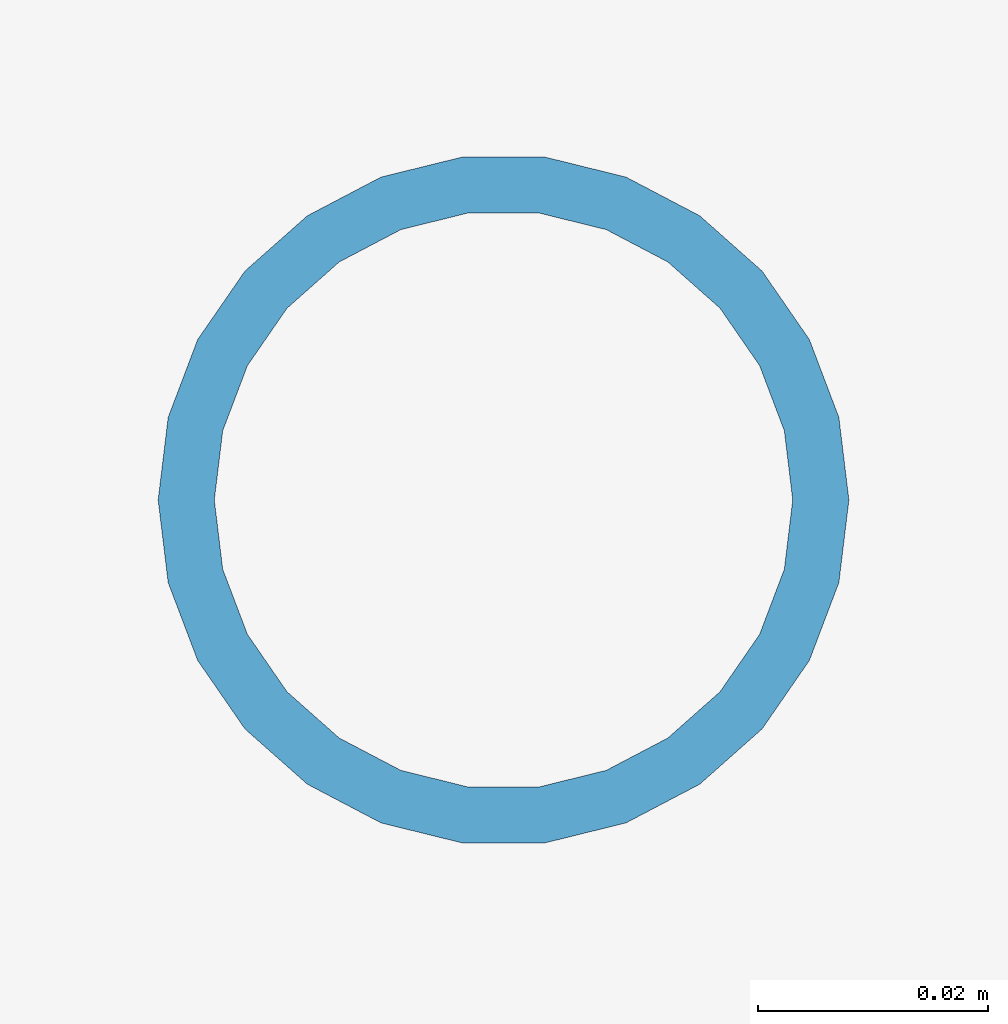
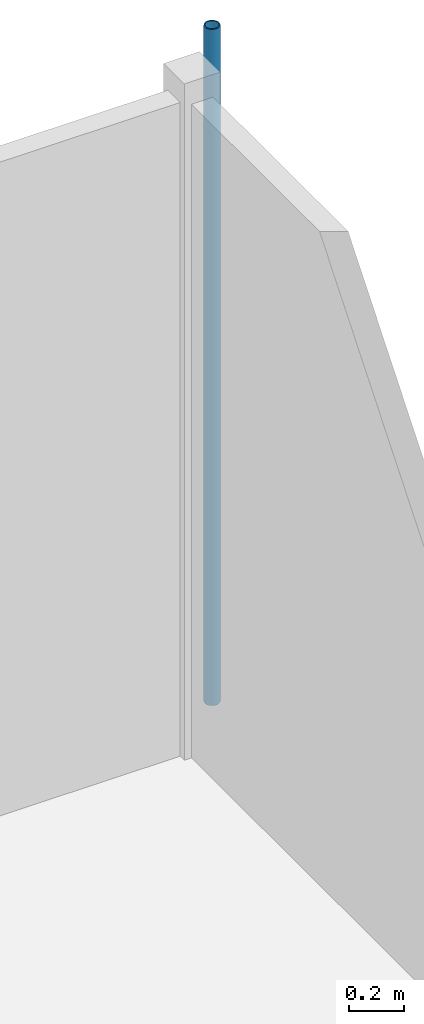
# One storey, part 3 of 5: 1 member.
"""IFC4 building model written with IfcOpenShell, lengths in metres."""

from ifc_helpers import new_model, si_unit, direction, frame, origin, origin_2d, place, context, subcontext, project, spatial, hollow_circle, extrude, material, material_profile, profile_set, type_object, element, save


model = new_model("IFC4")

# Units and contexts
model_context = context("Model", 3, precision=1e-05, world=origin(), true_north=direction((0.0, 1.0)))
body_context = subcontext(model_context, "Body", "Model", "MODEL_VIEW")
ifc_project = project(units=[si_unit("LENGTHUNIT", "METRE"), si_unit("AREAUNIT", "SQUARE_METRE"), si_unit("VOLUMEUNIT", "CUBIC_METRE"), si_unit("PLANEANGLEUNIT", "RADIAN"), si_unit("MASSUNIT", "GRAM", prefix="KILO")], contexts=[model_context])

# Site, building, storey
site_placement = place(None, origin())
site = spatial("IfcSite", under=ifc_project, at=site_placement, CompositionType="ELEMENT")
building_placement = place(site_placement, origin())
building = spatial("IfcBuilding", under=site, at=building_placement, Name="Welwitschia Terrace Campus", CompositionType="ELEMENT")
storey_placement = place(building_placement, frame((0.0, 0.0, 344.0)))
storey = spatial("IfcBuildingStorey", under=building, at=storey_placement, Name="MAIN ROOF", CompositionType="ELEMENT", Elevation=344.0)

# Member
ifc_material = material(Name="Stainless steel grade 316", Category="steel")
ifc_material_profile = material_profile(ifc_material, hollow_circle(Radius=0.030029296875, WallThickness=0.0048828125, at=origin_2d()))
ifc_profile_set = profile_set([ifc_material_profile], Name="Stainless steel grade 316")
member_type = type_object("IfcMemberType", Name="Lightning rod CHS 60x5", PredefinedType="USERDEFINED", material=ifc_profile_set)
member_placement = place(storey_placement, frame((24.39990234375, 38.39990234375, 0.0), z_axis=(0.0, 0.0, 1.0), x_axis=(1.0, 0.0, 0.0)))
element("IfcMember", 1, at=member_placement, inside=storey, type_object=member_type, Name="MAST rod 1", ObjectType="MAST", PredefinedType="USERDEFINED", context=body_context, shape_type="SweptSolid", body=[
    extrude(hollow_circle(Radius=0.030029296875, WallThickness=0.0048828125, at=origin_2d()), origin(), (0.0, 0.0, 1.0), 3.0),
])

save(model, "model.ifc")
